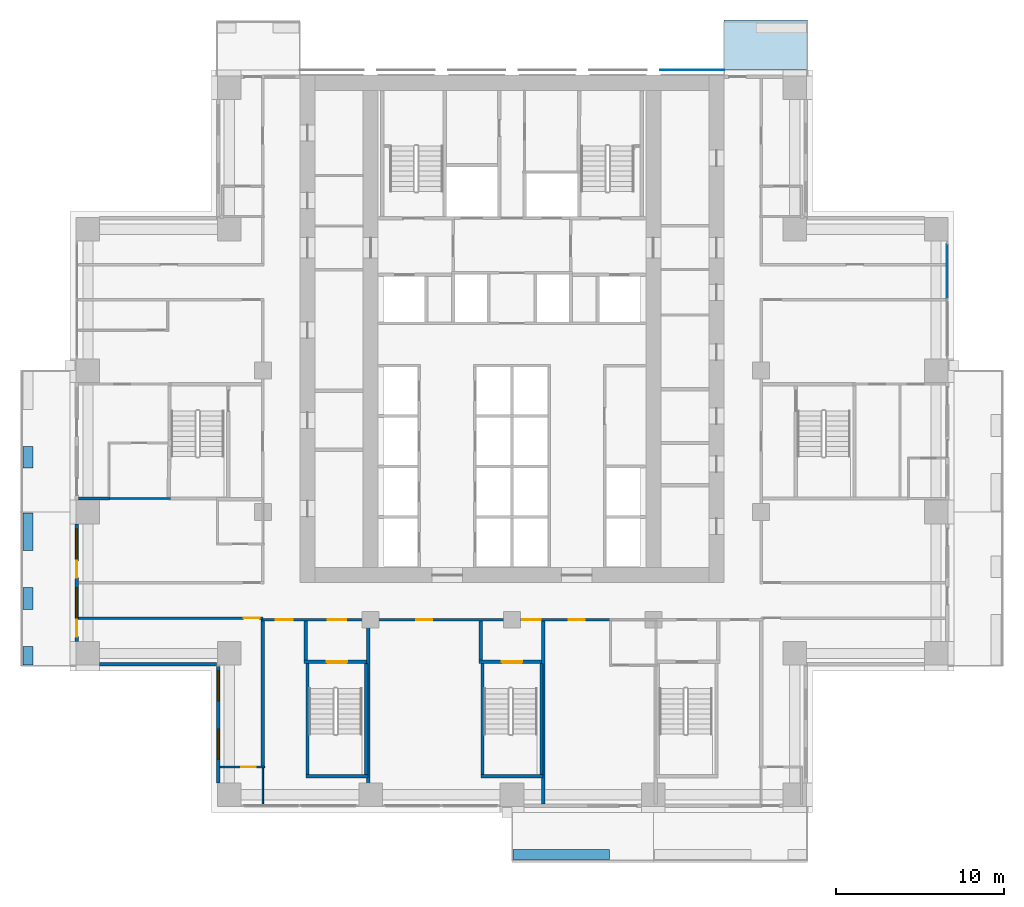
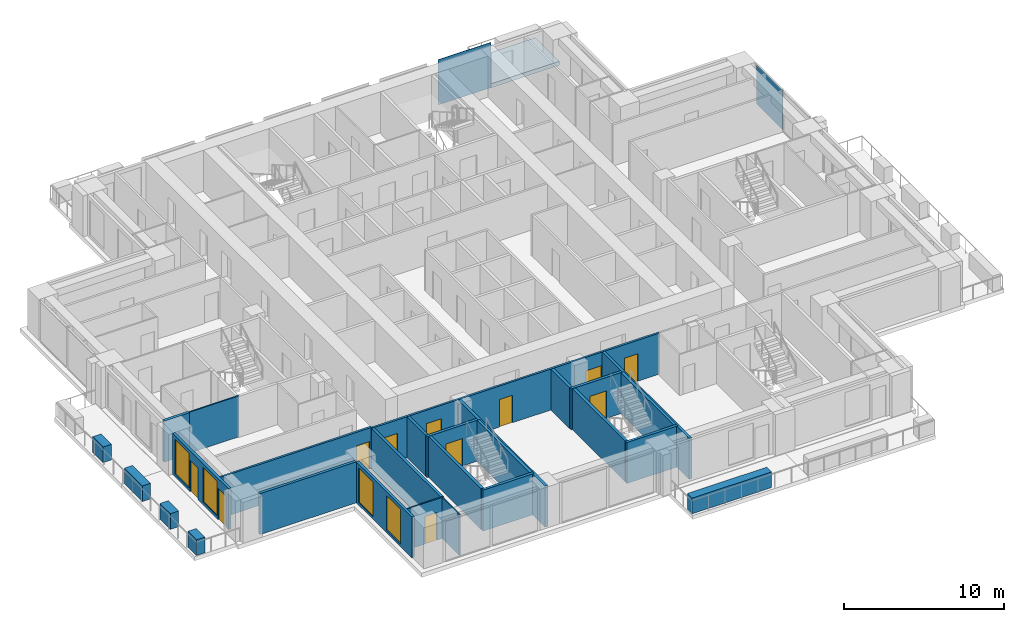
# One storey, part 8 of 17: 27 walls, 11 doors, 4 windows, 2 plates, 1 slab, 15 openings, 1 element without a shape of its own.
"""IFC4 building model written with IfcOpenShell, lengths in metres."""

from ifc_helpers import new_model, si_unit, direction, frame, frame_2d, origin, origin_2d, place, context, subcontext, project, spatial, polyline, rectangle, outline, extrude, material, layer, layer_set, type_object, element, fill, aggregate, save


model = new_model("IFC4")

# Units and contexts
model_context = context("Model", 3, precision=1e-05, world=origin(), true_north=direction((0.0, 1.0)))
body_context = subcontext(model_context, "Body", "Model", "MODEL_VIEW")
ifc_project = project(units=[si_unit("LENGTHUNIT", "METRE"), si_unit("AREAUNIT", "SQUARE_METRE"), si_unit("VOLUMEUNIT", "CUBIC_METRE"), si_unit("PLANEANGLEUNIT", "RADIAN"), si_unit("MASSUNIT", "GRAM", prefix="KILO")], contexts=[model_context])

# Site, building, storey
site_placement = place(None, origin())
site = spatial("IfcSite", under=ifc_project, at=site_placement, CompositionType="ELEMENT")
building_placement = place(site_placement, origin())
building = spatial("IfcBuilding", under=site, at=building_placement, Name="Vermilion Ogive Tower", CompositionType="ELEMENT")
storey_placement = place(building_placement, frame((0.0, 0.0, 51.75)))
storey = spatial("IfcBuildingStorey", under=building, at=storey_placement, Name="L11", CompositionType="ELEMENT", Elevation=51.75)

# Slab
ifc_material_1 = material(Name="Concrete B40", Category="concrete")
ifc_layer_1 = layer(ifc_material_1, 0.300048828125)
ifc_layer_set_1 = layer_set([ifc_layer_1], Name="Balcony slab")
slab_type = type_object("IfcSlabType", Name="Balcony slab", PredefinedType="FLOOR", material=ifc_layer_set_1)
slab_placement = place(storey_placement, frame((0.0, 0.0, -0.340087890625)))
element("IfcSlab", 1, at=slab_placement, inside=storey, type_object=slab_type, Name="Balcony slab N101", PredefinedType="FLOOR", context=body_context, shape_type="SweptSolid", body=[
    extrude(outline(polyline([(17.550048828125, 25.030029296875), (12.60009765625, 25.030029296875), (12.60009765625, 22.050048828125), (17.550048828125, 22.050048828125), (17.550048828125, 25.030029296875)])), origin(), (0.0, 0.0, 1.0), 0.300048828125),
])

# Curtain wall, plate
ifc_material_2 = material(Name="Low-iron laminated glazing in aluminium frame", Category="aluminium")
curtain_wall_type = type_object("IfcCurtainWallType", Name="Curtain wall CW7", PredefinedType="NOTDEFINED", material=ifc_material_2)
curtain_wall_placement = place(storey_placement, origin())
curtain_wall = element("IfcCurtainWall", 2, at=curtain_wall_placement, inside=storey, type_object=curtain_wall_type, Name="Glazed skin E3", PredefinedType="NOTDEFINED")
ifc_material_3 = material(Name="Low-iron laminated glazing in aluminium frame", Category="aluminium")
ifc_layer_2 = layer(ifc_material_3, 0.031982421875)
ifc_layer_set_2 = layer_set([ifc_layer_2], Name="CW7 glazing panel 32")
plate_type_1 = type_object("IfcPlateType", Name="CW7 glazing panel 32", PredefinedType="CURTAIN_PANEL", material=ifc_layer_set_2)
plate_1_placement = place(storey_placement, frame((25.85009765625, 10.10498046875, 0.06005859375), z_axis=(0.0, 0.0, 1.0), x_axis=(0.0, 1.0, 0.0)))
plate_1 = element("IfcPlate", 3, at=plate_1_placement, type_object=plate_type_1, Name="CW7-E3 panel 2.1", PredefinedType="CURTAIN_PANEL", context=body_context, shape_type="SweptSolid", body=[
    extrude(rectangle(XDim=3.22998046875, YDim=0.031982421875, at=origin_2d()), origin(), (0.0, 0.0, 1.0), 3.010009765625),
])
aggregate(curtain_wall, [plate_1])

# Plate
ifc_material_4 = material(Name="Low-iron laminated glazing in aluminium frame", Category="aluminium")
ifc_layer_3 = layer(ifc_material_4, 0.031982421875)
ifc_layer_set_3 = layer_set([ifc_layer_3], Name="Glazed rainscreen sheet 32")
plate_type_2 = type_object("IfcPlateType", Name="Glazed rainscreen sheet 32", PredefinedType="SHEET", material=ifc_layer_set_3)
plate_2_placement = place(storey_placement, frame((10.7099609375, 22.06591796875, -0.31982421875), z_axis=(0.0, 0.0, 1.0), x_axis=(1.0, 0.0, 0.0)))
element("IfcPlate", 4, at=plate_2_placement, inside=storey, type_object=plate_type_2, Name="Glazed rainscreen sheet N6", PredefinedType="SHEET", context=body_context, shape_type="SweptSolid", body=[
    extrude(rectangle(XDim=3.820068359375, YDim=0.031982421875, at=origin_2d()), origin(), (0.0, 0.0, 1.0), 3.449951171875),
])

# Wall, opening, door
ifc_material_5 = material(Name="Gypsum board partition on steel studs", Category="steel")
ifc_layer_4 = layer(ifc_material_5, 0.10009765625)
ifc_layer_set_4 = layer_set([ifc_layer_4], Name="Partition 100 bath")
wall_type_1 = type_object("IfcWallType", Name="Partition 100 bath", PredefinedType="PARTITIONING", material=ifc_layer_set_4)
wall_1_placement = place(storey_placement, frame((-17.35009765625, -19.35009765625, 0.0), z_axis=(0.0, 0.0, 1.0), x_axis=(1.0, 0.0, 0.0)))
wall_1 = element("IfcWall", 5, at=wall_1_placement, inside=storey, type_object=wall_type_1, Name="L11-W-W004", PredefinedType="PARTITIONING", context=body_context, shape_type="SweptSolid", body=[
    extrude(rectangle(XDim=2.650146484375, YDim=0.10009765625, at=frame_2d((1.3251953125, 0.0))), origin(), (0.0, 0.0, 1.0), 3.1298828125),
])
opening_1_placement = place(wall_1_placement, frame((1.275146484375, 0.0, 0.0)))
opening_1 = element("IfcOpeningElement", 6, at=opening_1_placement, cuts=wall_1, Name="Opening D1G3002", PredefinedType="OPENING", context=body_context, shape_type="SweptSolid", body=[
    extrude(rectangle(XDim=0.85009765625, YDim=2.10009765625, at=frame_2d((0.425048828125, 1.050048828125))), frame((0.0, 0.06005859375, 0.0), z_axis=(0.0, -1.0, 0.0), x_axis=(1.0, 0.0, 0.0)), (0.0, 0.0, 1.0), 0.1201171875),
])
ifc_material_6 = material(Name="Timber door leaf", Category="wood")
door_type_1 = type_object("IfcDoorType", Name="Bath door 850 x 2100 FD30", OperationType="SINGLE_SWING_LEFT", PredefinedType="DOOR", material=ifc_material_6)
door_1_placement = place(opening_1_placement, origin())
door_1 = element("IfcDoor", 7, at=door_1_placement, inside=storey, type_object=door_type_1, Name="L11-D-D002", OperationType="SINGLE_SWING_RIGHT", OverallHeight=2.10009765625, OverallWidth=0.85009765625, PredefinedType="DOOR", context=body_context, shape_type="SweptSolid", body=[
    extrude(rectangle(XDim=0.85009765625, YDim=2.10009765625, at=frame_2d((0.425048828125, 1.050048828125))), frame((0.0, 0.02490234375, 0.0), z_axis=(0.0, -1.0, 0.0), x_axis=(1.0, 0.0, 0.0)), (0.0, 0.0, 1.0), 0.050048828125),
])
fill(opening_1, door_1)

# Walls
wall_2_placement = place(storey_placement, frame((-24.0, -3.39990234375, 0.0), z_axis=(0.0, 0.0, 1.0), x_axis=(1.0, 0.0, 0.0)))
element("IfcWall", 8, at=wall_2_placement, inside=storey, type_object=wall_type_1, Name="L11-W-W019", PredefinedType="PARTITIONING", context=body_context, shape_type="SweptSolid", body=[
    extrude(rectangle(XDim=3.699951171875, YDim=0.10009765625, at=frame_2d((1.85009765625, 0.0))), origin(), (0.0, 0.0, 1.0), 3.1298828125),
])
wall_3_placement = place(storey_placement, frame((-14.800048828125, -21.550048828125, 0.0), z_axis=(0.0, 0.0, 1.0), x_axis=(0.0, 1.0, 0.0)))
element("IfcWall", 9, at=wall_3_placement, inside=storey, type_object=wall_type_1, Name="L11-W-W048", PredefinedType="PARTITIONING", context=body_context, shape_type="SweptSolid", body=[
    extrude(rectangle(XDim=2.150146484375, YDim=0.10009765625, at=frame_2d((1.0751953125, 0.0))), origin(), (0.0, 0.0, 1.0), 3.1298828125),
])

# Wall, openings, doors
ifc_material_7 = material(Name="Gypsum board partition on steel studs", Category="steel")
ifc_layer_5 = layer(ifc_material_7, 0.14990234375)
ifc_layer_set_5 = layer_set([ifc_layer_5], Name="Partition 150 corridor")
wall_type_2 = type_object("IfcWallType", Name="Partition 150 corridor", PredefinedType="PARTITIONING", material=ifc_layer_set_5)
wall_4_placement = place(storey_placement, frame((-14.89990234375, -10.60009765625, 0.0), z_axis=(0.0, 0.0, 1.0), x_axis=(1.0, 0.0, 0.0)))
wall_4 = element("IfcWall", 10, at=wall_4_placement, inside=storey, type_object=wall_type_2, Name="L11-W-W010", PredefinedType="PARTITIONING", context=body_context, shape_type="SweptSolid", body=[
    extrude(rectangle(XDim=20.7998046875, YDim=0.14990234375, at=frame_2d((10.39990234375, 0.0))), origin(), (0.0, 0.0, 1.0), 3.1298828125),
])
opening_2_placement = place(wall_4_placement, frame((9.224853515625, 0.0, 0.0)))
opening_2 = element("IfcOpeningElement", 11, at=opening_2_placement, cuts=wall_4, Name="Opening D1G3011", PredefinedType="OPENING", context=body_context, shape_type="SweptSolid", body=[
    extrude(rectangle(XDim=0.949951171875, YDim=2.10009765625, at=frame_2d((0.47509765625, 1.050048828125))), frame((0.0, 0.0849609375, 0.0), z_axis=(0.0, -1.0, 0.0), x_axis=(1.0, 0.0, 0.0)), (0.0, 0.0, 1.0), 0.169921875),
])
opening_3_placement = place(wall_4_placement, frame((18.27490234375, 0.0, 0.0)))
opening_3 = element("IfcOpeningElement", 12, at=opening_3_placement, cuts=wall_4, Name="Opening D1G3012", PredefinedType="OPENING", context=body_context, shape_type="SweptSolid", body=[
    extrude(rectangle(XDim=0.949951171875, YDim=2.10009765625, at=frame_2d((0.47509765625, 1.050048828125))), frame((0.0, 0.0849609375, 0.0), z_axis=(0.0, -1.0, 0.0), x_axis=(1.0, 0.0, 0.0)), (0.0, 0.0, 1.0), 0.169921875),
])
opening_4_placement = place(wall_4_placement, frame((3.949951171875, 0.0, 0.0)))
opening_4 = element("IfcOpeningElement", 13, at=opening_4_placement, cuts=wall_4, Name="Opening D1G3023", PredefinedType="OPENING", context=body_context, shape_type="SweptSolid", body=[
    extrude(rectangle(XDim=1.10009765625, YDim=2.10009765625, at=frame_2d((0.550048828125, 1.050048828125))), frame((0.0, 0.0849609375, 0.0), z_axis=(0.0, -1.0, 0.0), x_axis=(1.0, 0.0, 0.0)), (0.0, 0.0, 1.0), 0.169921875),
])
opening_5_placement = place(wall_4_placement, frame((15.5, 0.0, 0.0)))
opening_5 = element("IfcOpeningElement", 14, at=opening_5_placement, cuts=wall_4, Name="Opening D1G3025", PredefinedType="OPENING", context=body_context, shape_type="SweptSolid", body=[
    extrude(rectangle(XDim=1.10009765625, YDim=2.10009765625, at=frame_2d((0.550048828125, 1.050048828125))), frame((0.0, 0.0849609375, 0.0), z_axis=(0.0, -1.0, 0.0), x_axis=(1.0, 0.0, 0.0)), (0.0, 0.0, 1.0), 0.169921875),
])
opening_6_placement = place(wall_4_placement, frame((0.875, 0.0, 0.0)))
opening_6 = element("IfcOpeningElement", 15, at=opening_6_placement, cuts=wall_4, Name="Opening D1G3033", PredefinedType="OPENING", context=body_context, shape_type="SweptSolid", body=[
    extrude(rectangle(XDim=1.0, YDim=2.10009765625, at=frame_2d((0.5, 1.050048828125))), frame((0.0, 0.0849609375, 0.0), z_axis=(0.0, -1.0, 0.0), x_axis=(1.0, 0.0, 0.0)), (0.0, 0.0, 1.0), 0.169921875),
])
ifc_material_8 = material(Name="Timber door leaf", Category="wood")
door_type_2 = type_object("IfcDoorType", Name="Stair door 1100 x 2100 FD60S", OperationType="SINGLE_SWING_LEFT", PredefinedType="DOOR", material=ifc_material_8)
door_2_placement = place(opening_4_placement, origin())
door_2 = element("IfcDoor", 16, at=door_2_placement, inside=storey, type_object=door_type_2, Name="L11-D-D023", OperationType="SINGLE_SWING_RIGHT", OverallHeight=2.10009765625, OverallWidth=1.10009765625, PredefinedType="DOOR", context=body_context, shape_type="SweptSolid", body=[
    extrude(rectangle(XDim=1.10009765625, YDim=2.10009765625, at=frame_2d((0.550048828125, 1.050048828125))), frame((0.0, 0.02490234375, 0.0), z_axis=(0.0, -1.0, 0.0), x_axis=(1.0, 0.0, 0.0)), (0.0, 0.0, 1.0), 0.050048828125),
])
fill(opening_4, door_2)
door_3_placement = place(opening_5_placement, origin())
door_3 = element("IfcDoor", 17, at=door_3_placement, inside=storey, type_object=door_type_2, Name="L11-D-D025", OperationType="SINGLE_SWING_LEFT", OverallHeight=2.10009765625, OverallWidth=1.10009765625, PredefinedType="DOOR", context=body_context, shape_type="SweptSolid", body=[
    extrude(rectangle(XDim=1.10009765625, YDim=2.10009765625, at=frame_2d((0.550048828125, 1.050048828125))), frame((0.0, 0.02490234375, 0.0), z_axis=(0.0, -1.0, 0.0), x_axis=(1.0, 0.0, 0.0)), (0.0, 0.0, 1.0), 0.050048828125),
])
fill(opening_5, door_3)
ifc_material_9 = material(Name="Timber door leaf", Category="wood")
door_type_3 = type_object("IfcDoorType", Name="Unit door 1000 x 2100 FD30S", OperationType="SINGLE_SWING_LEFT", PredefinedType="DOOR", material=ifc_material_9)
door_4_placement = place(opening_6_placement, origin())
door_4 = element("IfcDoor", 18, at=door_4_placement, inside=storey, type_object=door_type_3, Name="L11-D-D033", OperationType="SINGLE_SWING_RIGHT", OverallHeight=2.10009765625, OverallWidth=1.0, PredefinedType="DOOR", context=body_context, shape_type="SweptSolid", body=[
    extrude(rectangle(XDim=1.0, YDim=2.10009765625, at=frame_2d((0.5, 1.050048828125))), frame((0.0, 0.02490234375, 0.0), z_axis=(0.0, -1.0, 0.0), x_axis=(1.0, 0.0, 0.0)), (0.0, 0.0, 1.0), 0.050048828125),
])
fill(opening_6, door_4)
ifc_material_10 = material(Name="Timber door leaf", Category="wood")
door_type_4 = type_object("IfcDoorType", Name="Unit door 950 x 2100 FD30S", OperationType="SINGLE_SWING_LEFT", PredefinedType="DOOR", material=ifc_material_10)
door_5_placement = place(opening_2_placement, origin())
door_5 = element("IfcDoor", 19, at=door_5_placement, inside=storey, type_object=door_type_4, Name="L11-D-D011", OperationType="SINGLE_SWING_LEFT", OverallHeight=2.10009765625, OverallWidth=0.949951171875, PredefinedType="DOOR", context=body_context, shape_type="SweptSolid", body=[
    extrude(rectangle(XDim=0.949951171875, YDim=2.10009765625, at=frame_2d((0.47509765625, 1.050048828125))), frame((0.0, 0.02490234375, 0.0), z_axis=(0.0, -1.0, 0.0), x_axis=(1.0, 0.0, 0.0)), (0.0, 0.0, 1.0), 0.050048828125),
])
fill(opening_2, door_5)
door_6_placement = place(opening_3_placement, origin())
door_6 = element("IfcDoor", 20, at=door_6_placement, inside=storey, type_object=door_type_4, Name="L11-D-D012", OperationType="SINGLE_SWING_LEFT", OverallHeight=2.10009765625, OverallWidth=0.949951171875, PredefinedType="DOOR", context=body_context, shape_type="SweptSolid", body=[
    extrude(rectangle(XDim=0.949951171875, YDim=2.10009765625, at=frame_2d((0.47509765625, 1.050048828125))), frame((0.0, 0.02490234375, 0.0), z_axis=(0.0, -1.0, 0.0), x_axis=(1.0, 0.0, 0.0)), (0.0, 0.0, 1.0), 0.050048828125),
])
fill(opening_3, door_6)

# Wall, opening, door
wall_5_placement = place(storey_placement, frame((-25.75, -10.5, 0.0), z_axis=(0.0, 0.0, 1.0), x_axis=(1.0, 0.0, 0.0)))
wall_5 = element("IfcWall", 21, at=wall_5_placement, inside=storey, type_object=wall_type_2, Name="L11-W-W013", PredefinedType="PARTITIONING", context=body_context, shape_type="SweptSolid", body=[
    extrude(rectangle(XDim=10.949951171875, YDim=0.14990234375, at=frame_2d((5.47509765625, 0.0))), origin(), (0.0, 0.0, 1.0), 3.1298828125),
])
opening_7_placement = place(wall_5_placement, frame((9.800048828125, 0.0, 0.0)))
opening_7 = element("IfcOpeningElement", 22, at=opening_7_placement, cuts=wall_5, Name="Opening D1G3001", PredefinedType="OPENING", context=body_context, shape_type="SweptSolid", body=[
    extrude(rectangle(XDim=0.949951171875, YDim=2.10009765625, at=frame_2d((0.47509765625, 1.050048828125))), frame((0.0, 0.0849609375, 0.0), z_axis=(0.0, -1.0, 0.0), x_axis=(1.0, 0.0, 0.0)), (0.0, 0.0, 1.0), 0.169921875),
])
door_7_placement = place(opening_7_placement, origin())
door_7 = element("IfcDoor", 23, at=door_7_placement, inside=storey, type_object=door_type_4, Name="L11-D-D001", OperationType="SINGLE_SWING_RIGHT", OverallHeight=2.10009765625, OverallWidth=0.949951171875, PredefinedType="DOOR", context=body_context, shape_type="SweptSolid", body=[
    extrude(rectangle(XDim=0.949951171875, YDim=2.10009765625, at=frame_2d((0.47509765625, 1.050048828125))), frame((0.0, 0.02490234375, 0.0), z_axis=(0.0, -1.0, 0.0), x_axis=(1.0, 0.0, 0.0)), (0.0, 0.0, 1.0), 0.050048828125),
])
fill(opening_7, door_7)

# Walls
ifc_material_11 = material(Name="Gypsum board partition on steel studs", Category="steel")
ifc_layer_6 = layer(ifc_material_11, 0.199951171875)
ifc_layer_set_6 = layer_set([ifc_layer_6], Name="Partition 200 party")
wall_type_3 = type_object("IfcWallType", Name="Partition 200 party", PredefinedType="PARTITIONING", material=ifc_layer_set_6)
wall_6_placement = place(storey_placement, frame((-25.75, -3.39990234375, 0.0), z_axis=(0.0, 0.0, 1.0), x_axis=(1.0, 0.0, 0.0)))
element("IfcWall", 24, at=wall_6_placement, inside=storey, type_object=wall_type_3, Name="L11-W-W018", PredefinedType="PARTITIONING", context=body_context, shape_type="SweptSolid", body=[
    extrude(rectangle(XDim=1.85009765625, YDim=0.199951171875, at=frame_2d((0.925048828125, 0.0))), origin(), (0.0, 0.0, 1.0), 3.1298828125),
])
wall_7_placement = place(storey_placement, frame((-14.800048828125, -19.300048828125, 0.0), z_axis=(0.0, 0.0, 1.0), x_axis=(0.0, 1.0, 0.0)))
element("IfcWall", 25, at=wall_7_placement, inside=storey, type_object=wall_type_3, Name="L11-W-W049", PredefinedType="PARTITIONING", context=body_context, shape_type="SweptSolid", body=[
    extrude(rectangle(XDim=8.625, YDim=0.199951171875, at=frame_2d((4.3125, 0.0))), origin(), (0.0, 0.0, 1.0), 3.1298828125),
])
ifc_material_12 = material(Name="Concrete B60", Category="concrete")
ifc_layer_7 = layer(ifc_material_12, 0.199951171875)
ifc_layer_set_7 = layer_set([ifc_layer_7], Name="Stair shaft wall 200 Concrete B60")
wall_type_4 = type_object("IfcWallType", Name="Stair shaft wall 200 Concrete B60", PredefinedType="SOLIDWALL", material=ifc_layer_set_7)
wall_8_placement = place(storey_placement, frame((-12.248046875, -19.89990234375, 0.0), z_axis=(0.0, 0.0, 1.0), x_axis=(1.0, 0.0, 0.0)))
element("IfcWall", 26, at=wall_8_placement, inside=storey, type_object=wall_type_4, Name="L11-W-W001", PredefinedType="SOLIDWALL", context=body_context, shape_type="SweptSolid", body=[
    extrude(rectangle(XDim=3.696044921875, YDim=0.199951171875, at=frame_2d((1.84814453125, 0.0))), origin(), (0.0, 0.0, 1.0), 3.1298828125),
])
wall_9_placement = place(storey_placement, frame((-1.847900390625, -19.89990234375, 0.0), z_axis=(0.0, 0.0, 1.0), x_axis=(1.0, 0.0, 0.0)))
element("IfcWall", 27, at=wall_9_placement, inside=storey, type_object=wall_type_4, Name="L11-W-W002", PredefinedType="SOLIDWALL", context=body_context, shape_type="SweptSolid", body=[
    extrude(rectangle(XDim=3.69580078125, YDim=0.199951171875, at=frame_2d((1.847900390625, 0.0))), origin(), (0.0, 0.0, 1.0), 3.1298828125),
])

# Wall, opening, door
wall_10_placement = place(storey_placement, frame((-12.347900390625, -13.10009765625, 0.0), z_axis=(0.0, 0.0, 1.0), x_axis=(1.0, 0.0, 0.0)))
wall_10 = element("IfcWall", 28, at=wall_10_placement, inside=storey, type_object=wall_type_4, Name="L11-W-W007", PredefinedType="SOLIDWALL", context=body_context, shape_type="SweptSolid", body=[
    extrude(rectangle(XDim=3.69580078125, YDim=0.199951171875, at=frame_2d((1.847900390625, 0.0))), origin(), (0.0, 0.0, 1.0), 3.1298828125),
])
opening_8_placement = place(wall_10_placement, frame((1.347900390625, 0.0, 0.0)))
opening_8 = element("IfcOpeningElement", 29, at=opening_8_placement, cuts=wall_10, Name="Opening D1G3024", PredefinedType="OPENING", context=body_context, shape_type="SweptSolid", body=[
    extrude(rectangle(XDim=1.199951171875, YDim=2.10009765625, at=frame_2d((0.60009765625, 1.050048828125))), frame((0.0, 0.10986328125, 0.0), z_axis=(0.0, -1.0, 0.0), x_axis=(1.0, 0.0, 0.0)), (0.0, 0.0, 1.0), 0.219970703125),
])
ifc_material_13 = material(Name="Timber door leaf", Category="wood")
door_type_5 = type_object("IfcDoorType", Name="Stair door 1200 x 2100 FD60S", OperationType="SINGLE_SWING_LEFT", PredefinedType="DOOR", material=ifc_material_13)
door_8_placement = place(opening_8_placement, origin())
door_8 = element("IfcDoor", 30, at=door_8_placement, inside=storey, type_object=door_type_5, Name="L11-D-D024", OperationType="SINGLE_SWING_RIGHT", OverallHeight=2.10009765625, OverallWidth=1.199951171875, PredefinedType="DOOR", context=body_context, shape_type="SweptSolid", body=[
    extrude(rectangle(XDim=1.199951171875, YDim=2.10009765625, at=frame_2d((0.60009765625, 1.050048828125))), frame((0.0, 0.02490234375, 0.0), z_axis=(0.0, -1.0, 0.0), x_axis=(1.0, 0.0, 0.0)), (0.0, 0.0, 1.0), 0.050048828125),
])
fill(opening_8, door_8)

wall_11_placement = place(storey_placement, frame((-1.947998046875, -13.10009765625, 0.0), z_axis=(0.0, 0.0, 1.0), x_axis=(1.0, 0.0, 0.0)))
wall_11 = element("IfcWall", 31, at=wall_11_placement, inside=storey, type_object=wall_type_4, Name="L11-W-W008", PredefinedType="SOLIDWALL", context=body_context, shape_type="SweptSolid", body=[
    extrude(rectangle(XDim=3.696044921875, YDim=0.199951171875, at=frame_2d((1.84814453125, 0.0))), origin(), (0.0, 0.0, 1.0), 3.1298828125),
])
opening_9_placement = place(wall_11_placement, frame((1.347900390625, 0.0, 0.0)))
opening_9 = element("IfcOpeningElement", 32, at=opening_9_placement, cuts=wall_11, Name="Opening D1G3026", PredefinedType="OPENING", context=body_context, shape_type="SweptSolid", body=[
    extrude(rectangle(XDim=1.199951171875, YDim=2.10009765625, at=frame_2d((0.60009765625, 1.050048828125))), frame((0.0, 0.10986328125, 0.0), z_axis=(0.0, -1.0, 0.0), x_axis=(1.0, 0.0, 0.0)), (0.0, 0.0, 1.0), 0.219970703125),
])
door_9_placement = place(opening_9_placement, origin())
door_9 = element("IfcDoor", 33, at=door_9_placement, inside=storey, type_object=door_type_5, Name="L11-D-D026", OperationType="SINGLE_SWING_RIGHT", OverallHeight=2.10009765625, OverallWidth=1.199951171875, PredefinedType="DOOR", context=body_context, shape_type="SweptSolid", body=[
    extrude(rectangle(XDim=1.199951171875, YDim=2.10009765625, at=frame_2d((0.60009765625, 1.050048828125))), frame((0.0, 0.02490234375, 0.0), z_axis=(0.0, -1.0, 0.0), x_axis=(1.0, 0.0, 0.0)), (0.0, 0.0, 1.0), 0.050048828125),
])
fill(opening_9, door_9)

# Walls
wall_12_placement = place(storey_placement, frame((-12.25, -12.998046875, 0.0), z_axis=(0.0, 0.0, 1.0), x_axis=(0.0, 1.0, 0.0)))
element("IfcWall", 34, at=wall_12_placement, inside=storey, type_object=wall_type_4, Name="L11-W-W056", PredefinedType="SOLIDWALL", context=body_context, shape_type="SweptSolid", body=[
    extrude(rectangle(XDim=2.322998046875, YDim=0.199951171875, at=frame_2d((1.16162109375, 0.0))), origin(), (0.0, 0.0, 1.0), 3.1298828125),
])
for number, where, z_axis, x_axis, name in (
    (35, (-12.14990234375, -19.798095703125, 0.0), (0.0, 0.0, 1.0), (0.0, 1.0, 0.0), "L11-W-W057"),
    (36, (-8.64990234375, -19.798095703125, 0.0), (0.0, 0.0, 1.0), (0.0, 1.0, 0.0), "L11-W-W058"),
):
    element("IfcWall", number, at=place(storey_placement, frame(where, z_axis=z_axis, x_axis=x_axis)), inside=storey, type_object=wall_type_4, Name=name, PredefinedType="SOLIDWALL", context=body_context, shape_type="SweptSolid", body=[
        extrude(rectangle(XDim=6.59619140625, YDim=0.199951171875, at=frame_2d((3.298095703125, 0.0))), origin(), (0.0, 0.0, 1.0), 3.1298828125),
    ])
wall_13_placement = place(storey_placement, frame((-1.85009765625, -12.998046875, 0.0), z_axis=(0.0, 0.0, 1.0), x_axis=(0.0, 1.0, 0.0)))
element("IfcWall", 37, at=wall_13_placement, inside=storey, type_object=wall_type_4, Name="L11-W-W060", PredefinedType="SOLIDWALL", context=body_context, shape_type="SweptSolid", body=[
    extrude(rectangle(XDim=2.322998046875, YDim=0.199951171875, at=frame_2d((1.16162109375, 0.0))), origin(), (0.0, 0.0, 1.0), 3.1298828125),
])
for number, where, z_axis, x_axis, name in (
    (38, (-1.75, -19.798095703125, 0.0), (0.0, 0.0, 1.0), (0.0, 1.0, 0.0), "L11-W-W061"),
    (39, (1.75, -19.798095703125, 0.0), (0.0, 0.0, 1.0), (0.0, 1.0, 0.0), "L11-W-W062"),
):
    element("IfcWall", number, at=place(storey_placement, frame(where, z_axis=z_axis, x_axis=x_axis)), inside=storey, type_object=wall_type_4, Name=name, PredefinedType="SOLIDWALL", context=body_context, shape_type="SweptSolid", body=[
        extrude(rectangle(XDim=6.59619140625, YDim=0.199951171875, at=frame_2d((3.298095703125, 0.0))), origin(), (0.0, 0.0, 1.0), 3.1298828125),
    ])
for number, where, z_axis, x_axis, name in (
    (40, (-8.550048828125, -21.550048828125, 0.0), (0.0, 0.0, 1.0), (0.0, 1.0, 0.0), "L11-W-W059-A"),
    (41, (1.85009765625, -21.550048828125, 0.0), (0.0, 0.0, 1.0), (0.0, 1.0, 0.0), "L11-W-W063-A-A"),
):
    element("IfcWall", number, at=place(storey_placement, frame(where, z_axis=z_axis, x_axis=x_axis)), inside=storey, type_object=wall_type_4, Name=name, PredefinedType="SOLIDWALL", context=body_context, shape_type="SweptSolid", body=[
        extrude(rectangle(XDim=10.875, YDim=0.199951171875, at=frame_2d((5.4375, 0.0))), origin(), (0.0, 0.0, 1.0), 3.1298828125),
    ])
ifc_material_14 = material(Name="Concrete B40", Category="concrete")
ifc_layer_8 = layer(ifc_material_14, 0.60009765625)
ifc_layer_set_8 = layer_set([ifc_layer_8], Name="Structural planter")
wall_type_5 = type_object("IfcWallType", Name="Structural planter", PredefinedType="USERDEFINED", material=ifc_layer_set_8)
wall_14_placement = place(storey_placement, frame((0.06005859375, -24.550048828125, -0.0400390625), z_axis=(0.0, 0.0, 1.0), x_axis=(1.0, 0.0, 0.0)))
element("IfcWall", 42, at=wall_14_placement, inside=storey, type_object=wall_type_5, Name="Planter S03A1", ObjectType="PLANTER", PredefinedType="USERDEFINED", context=body_context, shape_type="SweptSolid", body=[
    extrude(rectangle(XDim=5.739990234375, YDim=0.60009765625, at=frame_2d((2.8701171875, 0.0))), origin(), (0.0, 0.0, 1.0), 1.199951171875),
])
wall_15_placement = place(storey_placement, frame((-28.75, -0.300048828125, -0.0400390625), z_axis=(0.0, 0.0, 1.0), x_axis=(0.0, -1.0, 0.0)))
element("IfcWall", 43, at=wall_15_placement, inside=storey, type_object=wall_type_5, Name="Planter W02A2", ObjectType="PLANTER", PredefinedType="USERDEFINED", context=body_context, shape_type="SweptSolid", body=[
    extrude(rectangle(XDim=1.300048828125, YDim=0.60009765625, at=frame_2d((0.64990234375, 0.0))), origin(), (0.0, 0.0, 1.0), 1.199951171875),
])
wall_16_placement = place(storey_placement, frame((-28.75, -4.260009765625, -0.0400390625), z_axis=(0.0, 0.0, 1.0), x_axis=(0.0, -1.0, 0.0)))
element("IfcWall", 44, at=wall_16_placement, inside=storey, type_object=wall_type_5, Name="Planter W03A1", ObjectType="PLANTER", PredefinedType="USERDEFINED", context=body_context, shape_type="SweptSolid", body=[
    extrude(rectangle(XDim=2.239990234375, YDim=0.60009765625, at=frame_2d((1.1201171875, 0.0))), origin(), (0.0, 0.0, 1.0), 1.199951171875),
])
wall_17_placement = place(storey_placement, frame((-28.75, -8.699951171875, -0.0400390625), z_axis=(0.0, 0.0, 1.0), x_axis=(0.0, -1.0, 0.0)))
element("IfcWall", 45, at=wall_17_placement, inside=storey, type_object=wall_type_5, Name="Planter W03A2", ObjectType="PLANTER", PredefinedType="USERDEFINED", context=body_context, shape_type="SweptSolid", body=[
    extrude(rectangle(XDim=1.300048828125, YDim=0.60009765625, at=frame_2d((0.64990234375, 0.0))), origin(), (0.0, 0.0, 1.0), 1.199951171875),
])
wall_18_placement = place(storey_placement, frame((-28.75, -12.199951171875, -0.0400390625), z_axis=(0.0, 0.0, 1.0), x_axis=(0.0, -1.0, 0.0)))
element("IfcWall", 46, at=wall_18_placement, inside=storey, type_object=wall_type_5, Name="Planter W03A3", ObjectType="PLANTER", PredefinedType="USERDEFINED", context=body_context, shape_type="SweptSolid", body=[
    extrude(rectangle(XDim=1.090087890625, YDim=0.60009765625, at=frame_2d((0.544921875, 0.0))), origin(), (0.0, 0.0, 1.0), 1.199951171875),
])

# Wall, openings, doors, windows
ifc_material_15 = material(Name="Aluminium window wall framing", Category="aluminium")
ifc_layer_9 = layer(ifc_material_15, 0.199951171875)
ifc_layer_set_9 = layer_set([ifc_layer_9], Name="Window wall")
wall_type_6 = type_object("IfcWallType", Name="Window wall", PredefinedType="STANDARD", material=ifc_layer_set_9)
wall_19_placement = place(storey_placement, frame((-25.85009765625, -4.89990234375, 0.0), z_axis=(0.0, 0.0, 1.0), x_axis=(0.0, -1.0, 0.0)))
wall_19 = element("IfcWall", 47, at=wall_19_placement, inside=storey, type_object=wall_type_6, Name="Window wall W3", PredefinedType="STANDARD", context=body_context, shape_type="SweptSolid", body=[
    extrude(rectangle(XDim=7.0, YDim=0.199951171875, at=frame_2d((3.5, 0.0))), origin(), (0.0, 0.0, 1.0), 3.1298828125),
])
opening_10_placement = place(wall_19_placement, frame((3.800048828125, 0.0, 0.199951171875)))
opening_10 = element("IfcOpeningElement", 48, at=opening_10_placement, cuts=wall_19, Name="Opening W1-W97", PredefinedType="OPENING", context=body_context, shape_type="SweptSolid", body=[
    extrude(rectangle(XDim=1.800048828125, YDim=2.64990234375, at=frame_2d((0.89990234375, 1.324951171875))), frame((0.0, 0.10986328125, 0.0), z_axis=(0.0, -1.0, 0.0), x_axis=(1.0, 0.0, 0.0)), (0.0, 0.0, 1.0), 0.219970703125),
])
opening_11_placement = place(wall_19_placement, frame((5.699951171875, 0.0, 0.0)))
opening_11 = element("IfcOpeningElement", 49, at=opening_11_placement, cuts=wall_19, Name="Opening D1-W97", PredefinedType="OPENING", context=body_context, shape_type="SweptSolid", body=[
    extrude(rectangle(XDim=1.0, YDim=2.39990234375, at=frame_2d((0.5, 1.199951171875))), frame((0.0, 0.10986328125, 0.0), z_axis=(0.0, -1.0, 0.0), x_axis=(1.0, 0.0, 0.0)), (0.0, 0.0, 1.0), 0.219970703125),
])
opening_12_placement = place(wall_19_placement, frame((0.300048828125, 0.0, 0.199951171875)))
opening_12 = element("IfcOpeningElement", 50, at=opening_12_placement, cuts=wall_19, Name="Opening W1-W98", PredefinedType="OPENING", context=body_context, shape_type="SweptSolid", body=[
    extrude(rectangle(XDim=1.800048828125, YDim=2.64990234375, at=frame_2d((0.89990234375, 1.324951171875))), frame((0.0, 0.10986328125, 0.0), z_axis=(0.0, -1.0, 0.0), x_axis=(1.0, 0.0, 0.0)), (0.0, 0.0, 1.0), 0.219970703125),
])
opening_13_placement = place(wall_19_placement, frame((2.199951171875, 0.0, 0.0)))
opening_13 = element("IfcOpeningElement", 51, at=opening_13_placement, cuts=wall_19, Name="Opening D1-W98", PredefinedType="OPENING", context=body_context, shape_type="SweptSolid", body=[
    extrude(rectangle(XDim=1.0, YDim=2.39990234375, at=frame_2d((0.5, 1.199951171875))), frame((0.0, 0.10986328125, 0.0), z_axis=(0.0, -1.0, 0.0), x_axis=(1.0, 0.0, 0.0)), (0.0, 0.0, 1.0), 0.219970703125),
])
ifc_material_16 = material(Name="Aluminium framed glazed door", Category="aluminium")
door_type_6 = type_object("IfcDoorType", Name="Balcony door D1", OperationType="SINGLE_SWING_LEFT", PredefinedType="DOOR", material=ifc_material_16)
door_10_placement = place(opening_11_placement, origin())
door_10 = element("IfcDoor", 52, at=door_10_placement, inside=storey, type_object=door_type_6, Name="Balcony door W97", OperationType="SINGLE_SWING_LEFT", OverallHeight=2.39990234375, OverallWidth=1.0, PredefinedType="DOOR", context=body_context, shape_type="SweptSolid", body=[
    extrude(rectangle(XDim=1.0, YDim=2.39990234375, at=frame_2d((0.5, 1.199951171875))), frame((0.0, 0.02490234375, 0.0), z_axis=(0.0, -1.0, 0.0), x_axis=(1.0, 0.0, 0.0)), (0.0, 0.0, 1.0), 0.050048828125),
])
fill(opening_11, door_10)
door_11_placement = place(opening_13_placement, origin())
door_11 = element("IfcDoor", 53, at=door_11_placement, inside=storey, type_object=door_type_6, Name="Balcony door W98", OperationType="SINGLE_SWING_LEFT", OverallHeight=2.39990234375, OverallWidth=1.0, PredefinedType="DOOR", context=body_context, shape_type="SweptSolid", body=[
    extrude(rectangle(XDim=1.0, YDim=2.39990234375, at=frame_2d((0.5, 1.199951171875))), frame((0.0, 0.02490234375, 0.0), z_axis=(0.0, -1.0, 0.0), x_axis=(1.0, 0.0, 0.0)), (0.0, 0.0, 1.0), 0.050048828125),
])
fill(opening_13, door_11)
ifc_material_17 = material(Name="Aluminium framed double glazing", Category="aluminium")
window_type = type_object("IfcWindowType", Name="Guest window W1", PartitioningType="SINGLE_PANEL", PredefinedType="WINDOW", material=ifc_material_17)
window_1_placement = place(opening_10_placement, origin())
window_1 = element("IfcWindow", 54, at=window_1_placement, inside=storey, type_object=window_type, Name="Window W97", OverallHeight=2.64990234375, OverallWidth=1.800048828125, PartitioningType="SINGLE_PANEL", PredefinedType="WINDOW", context=body_context, shape_type="SweptSolid", body=[
    extrude(rectangle(XDim=1.800048828125, YDim=2.64990234375, at=frame_2d((0.89990234375, 1.324951171875))), frame((0.0, 0.030029296875, 0.0), z_axis=(0.0, -1.0, 0.0), x_axis=(1.0, 0.0, 0.0)), (0.0, 0.0, 1.0), 0.06005859375),
])
fill(opening_10, window_1)
window_2_placement = place(opening_12_placement, origin())
window_2 = element("IfcWindow", 55, at=window_2_placement, inside=storey, type_object=window_type, Name="Window W98", OverallHeight=2.64990234375, OverallWidth=1.800048828125, PartitioningType="SINGLE_PANEL", PredefinedType="WINDOW", context=body_context, shape_type="SweptSolid", body=[
    extrude(rectangle(XDim=1.800048828125, YDim=2.64990234375, at=frame_2d((0.89990234375, 1.324951171875))), frame((0.0, 0.030029296875, 0.0), z_axis=(0.0, -1.0, 0.0), x_axis=(1.0, 0.0, 0.0)), (0.0, 0.0, 1.0), 0.06005859375),
])
fill(opening_12, window_2)

# Wall
wall_20_placement = place(storey_placement, frame((-24.5, -13.25, 0.0), z_axis=(0.0, 0.0, 1.0), x_axis=(1.0, 0.0, 0.0)))
element("IfcWall", 56, at=wall_20_placement, inside=storey, type_object=wall_type_6, Name="Window wall X71", PredefinedType="STANDARD", context=body_context, shape_type="SweptSolid", body=[
    extrude(rectangle(XDim=6.949951171875, YDim=0.199951171875, at=frame_2d((3.47509765625, 0.0))), origin(), (0.0, 0.0, 1.0), 3.1298828125),
])

# Wall, openings, windows
wall_21_placement = place(storey_placement, frame((-17.449951171875, -13.35009765625, 0.0), z_axis=(0.0, 0.0, 1.0), x_axis=(0.0, -1.0, 0.0)))
wall_21 = element("IfcWall", 57, at=wall_21_placement, inside=storey, type_object=wall_type_6, Name="Window wall X81", PredefinedType="STANDARD", context=body_context, shape_type="SweptSolid", body=[
    extrude(rectangle(XDim=6.949951171875, YDim=0.199951171875, at=frame_2d((3.47509765625, 0.0))), origin(), (0.0, 0.0, 1.0), 3.1298828125),
])
opening_14_placement = place(wall_21_placement, frame((3.75, 0.0, 0.199951171875)))
opening_14 = element("IfcOpeningElement", 58, at=opening_14_placement, cuts=wall_21, Name="Opening W1-X895", PredefinedType="OPENING", context=body_context, shape_type="SweptSolid", body=[
    extrude(rectangle(XDim=1.800048828125, YDim=2.64990234375, at=frame_2d((0.89990234375, 1.324951171875))), frame((0.0, 0.10986328125, 0.0), z_axis=(0.0, -1.0, 0.0), x_axis=(1.0, 0.0, 0.0)), (0.0, 0.0, 1.0), 0.219970703125),
])
opening_15_placement = place(wall_21_placement, frame((0.27490234375, 0.0, 0.199951171875)))
opening_15 = element("IfcOpeningElement", 59, at=opening_15_placement, cuts=wall_21, Name="Opening W1-X896", PredefinedType="OPENING", context=body_context, shape_type="SweptSolid", body=[
    extrude(rectangle(XDim=1.800048828125, YDim=2.64990234375, at=frame_2d((0.89990234375, 1.324951171875))), frame((0.0, 0.10986328125, 0.0), z_axis=(0.0, -1.0, 0.0), x_axis=(1.0, 0.0, 0.0)), (0.0, 0.0, 1.0), 0.219970703125),
])
window_3_placement = place(opening_14_placement, origin())
window_3 = element("IfcWindow", 60, at=window_3_placement, inside=storey, type_object=window_type, Name="Window X895", OverallHeight=2.64990234375, OverallWidth=1.800048828125, PartitioningType="SINGLE_PANEL", PredefinedType="WINDOW", context=body_context, shape_type="SweptSolid", body=[
    extrude(rectangle(XDim=1.800048828125, YDim=2.64990234375, at=frame_2d((0.89990234375, 1.324951171875))), frame((0.0, 0.030029296875, 0.0), z_axis=(0.0, -1.0, 0.0), x_axis=(1.0, 0.0, 0.0)), (0.0, 0.0, 1.0), 0.06005859375),
])
fill(opening_14, window_3)
window_4_placement = place(opening_15_placement, origin())
window_4 = element("IfcWindow", 61, at=window_4_placement, inside=storey, type_object=window_type, Name="Window X896", OverallHeight=2.64990234375, OverallWidth=1.800048828125, PartitioningType="SINGLE_PANEL", PredefinedType="WINDOW", context=body_context, shape_type="SweptSolid", body=[
    extrude(rectangle(XDim=1.800048828125, YDim=2.64990234375, at=frame_2d((0.89990234375, 1.324951171875))), frame((0.0, 0.030029296875, 0.0), z_axis=(0.0, -1.0, 0.0), x_axis=(1.0, 0.0, 0.0)), (0.0, 0.0, 1.0), 0.06005859375),
])
fill(opening_15, window_4)

save(model, "model.ifc")
